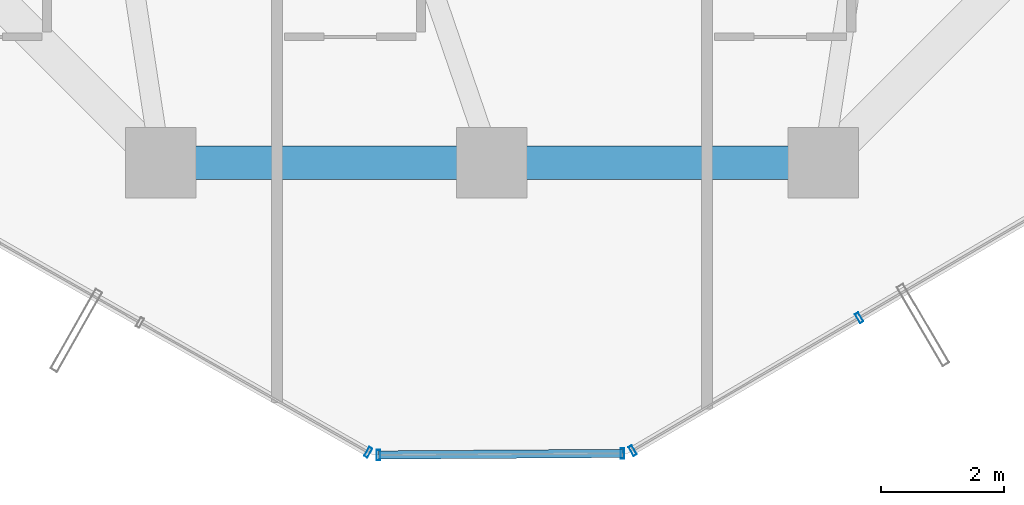
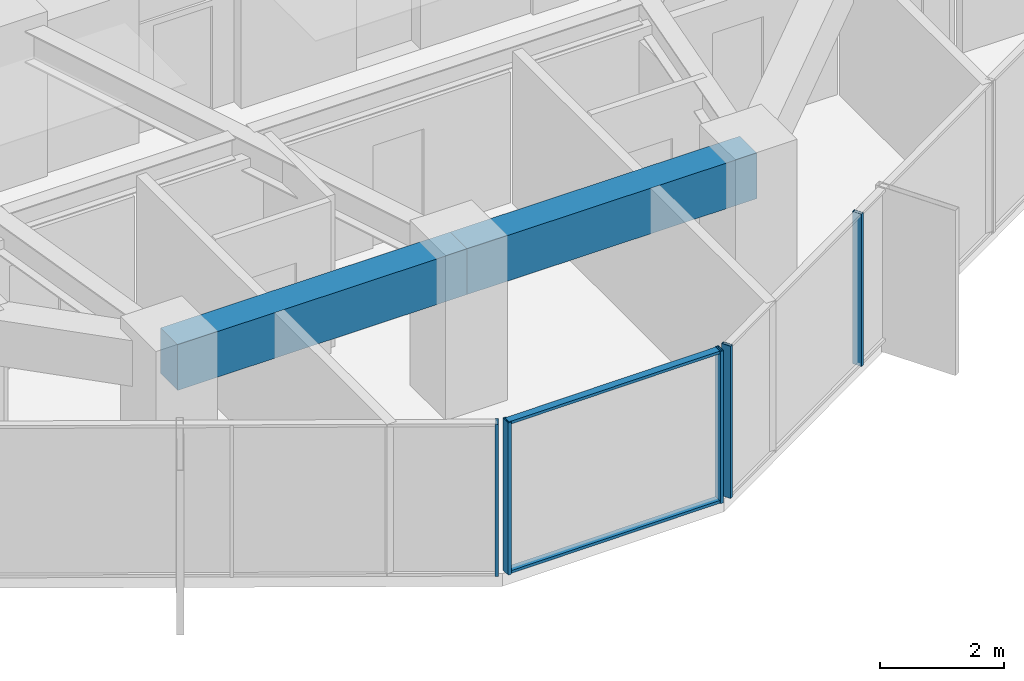
# One storey, part 6 of 30: 7 members, 2 beams, 3 elements without a shape of their own.
"""IFC4 building model written with IfcOpenShell, lengths in metres."""

from ifc_helpers import new_model, si_unit, direction, frame, origin, origin_2d, place, context, subcontext, project, spatial, rectangle, hollow_rectangle, extrude, source, transform, mapped, material, layer, layer_set, material_profile, profile_set, type_object, element, aggregate, save


model = new_model("IFC4")

# Units and contexts
model_context = context("Model", 3, precision=1e-05, world=origin(), true_north=direction((0.0, 1.0)))
body_context = subcontext(model_context, "Body", "Model", "MODEL_VIEW")
ifc_project = project(units=[si_unit("LENGTHUNIT", "METRE"), si_unit("AREAUNIT", "SQUARE_METRE"), si_unit("VOLUMEUNIT", "CUBIC_METRE"), si_unit("PLANEANGLEUNIT", "RADIAN"), si_unit("MASSUNIT", "GRAM", prefix="KILO")], contexts=[model_context])

# Site, building, storey
site_placement = place(None, origin())
site = spatial("IfcSite", under=ifc_project, at=site_placement, CompositionType="ELEMENT")
building_placement = place(site_placement, origin())
building = spatial("IfcBuilding", under=site, at=building_placement, Name="Veraguas Prism Commons", CompositionType="ELEMENT")
storey_placement = place(building_placement, frame((0.0, 0.0, 129.5)))
storey = spatial("IfcBuildingStorey", under=building, at=storey_placement, Name="L36", CompositionType="ELEMENT", Elevation=129.5)

# Beams
ifc_material_1 = material(Name="Concrete C50/60", Category="concrete")
ifc_material_profile_1 = material_profile(ifc_material_1, rectangle(XDim=0.550048828125, YDim=0.89990234375, at=origin_2d()), Name="RC550X900")
ifc_profile_set_1 = profile_set([ifc_material_profile_1], Name="Concrete C50/60")
beam_type = type_object("IfcBeamType", Name="Perimeter Spandrel Lower RC 550x900", PredefinedType="SPANDREL", material=ifc_profile_set_1)
for number, where, z_axis, x_axis, name in (
    (1, (18.60009765625, 7.800048828125, 2.550048828125), (1.0, 0.0, 0.0), (0.0, 1.0, 0.0), "Perimeter Spandrel Beam L36-SP10"),
    (2, (24.0, 7.800048828125, 2.550048828125), (1.0, 0.0, 0.0), (0.0, 1.0, 0.0), "Perimeter Spandrel Beam L36-SP11"),
):
    element("IfcBeam", number, at=place(storey_placement, frame(where, z_axis=z_axis, x_axis=x_axis)), inside=storey, type_object=beam_type, Name=name, PredefinedType="SPANDREL", context=body_context, shape_type="SweptSolid", body=[
        extrude(rectangle(XDim=0.550048828125, YDim=0.89990234375, at=origin_2d()), origin(), (0.0, 0.0, 1.0), 5.39990234375),
    ])

# Curtain wall, member
ifc_material_2 = material(Name="Anodised aluminium EN AW-6063 T6", Category="aluminium")
ifc_layer = layer(ifc_material_2, 0.169921875, Name="Unitised Flush Curtain Wall Zone 2", Category="aluminium")
ifc_layer_set = layer_set([ifc_layer], Name="Anodised aluminium EN AW-6063 T6")
curtain_wall_type = type_object("IfcCurtainWallType", Name="Unitised Flush Curtain Wall Zone 2", PredefinedType="NOTDEFINED", material=ifc_layer_set)
curtain_wall_1_placement = place(storey_placement, origin())
curtain_wall_1 = element("IfcCurtainWall", 3, at=curtain_wall_1_placement, inside=storey, type_object=curtain_wall_type, Name="Tower Facade Curtain Wall L36-F4", PredefinedType="NOTDEFINED")
ifc_material_profile_2 = material_profile(ifc_material_2, hollow_rectangle(XDim=0.06005859375, YDim=0.169921875, WallThickness=0.00390625, at=origin_2d()), Name="AL60X170X4")
ifc_profile_set_2 = profile_set([ifc_material_profile_2], Name="Anodised aluminium EN AW-6063 T6")
member_type_1 = type_object("IfcMemberType", Name="Curtain Wall Mullion Lower AL 60x170x4", PredefinedType="MULLION", material=ifc_profile_set_2)
shared_shape_1 = source(origin(), body_context, "Body", "SweptSolid", [
    extrude(hollow_rectangle(XDim=0.06005859375, YDim=0.169921875, WallThickness=0.00390625, at=origin_2d()), origin(), (0.0, 0.0, 1.0), 3.0),
])
member_1_placement = place(storey_placement, frame((21.984130859375, 3.080078125, 0.0), z_axis=(0.0, 0.0, 1.0), x_axis=(0.869323320918, -0.494243830218, 0.0)))
member_1 = element("IfcMember", 4, at=member_1_placement, type_object=member_type_1, Name="CW-Z2 Mullion 5", PredefinedType="MULLION", context=body_context, shape_type="MappedRepresentation", body=[
    mapped(shared_shape_1, transform((0.0, 0.0, 0.0), scale=1.0)),
])
aggregate(curtain_wall_1, [member_1])

# Curtain wall, members
curtain_wall_2_placement = place(storey_placement, origin())
curtain_wall_2 = element("IfcCurtainWall", 5, at=curtain_wall_2_placement, inside=storey, type_object=curtain_wall_type, Name="Tower Facade Curtain Wall L36-F5", PredefinedType="NOTDEFINED")
member_2_placement = place(storey_placement, frame((26.293212890625, 3.108642578125, 0.0), z_axis=(0.0, 0.0, 1.0), x_axis=(0.86268584238, 0.505740187604, 0.0)))
member_2 = element("IfcMember", 6, at=member_2_placement, type_object=member_type_1, Name="CW-Z2 Mullion 1", PredefinedType="MULLION", context=body_context, shape_type="MappedRepresentation", body=[
    mapped(shared_shape_1, transform((0.0, 0.0, 0.0), scale=1.0)),
])
member_3_placement = place(storey_placement, frame((29.984130859375, 5.2724609375, 0.0), z_axis=(0.0, 0.0, 1.0), x_axis=(0.86268584238, 0.505740187604, 0.0)))
member_3 = element("IfcMember", 7, at=member_3_placement, type_object=member_type_1, Name="CW-Z2 Mullion 2", PredefinedType="MULLION", context=body_context, shape_type="MappedRepresentation", body=[
    mapped(shared_shape_1, transform((0.0, 0.0, 0.0), scale=1.0)),
])
aggregate(curtain_wall_2, [member_2, member_3])

curtain_wall_3_placement = place(storey_placement, origin())
curtain_wall_3 = element("IfcCurtainWall", 8, at=curtain_wall_3_placement, inside=storey, type_object=curtain_wall_type, Name="Chamfer Curtain Wall L36-C5", PredefinedType="NOTDEFINED")
member_4_placement = place(storey_placement, frame((22.15234375, 3.0361328125, 0.0), z_axis=(0.0, 0.0, 1.0), x_axis=(0.999978087656, 0.006619985499, 0.0)))
member_4 = element("IfcMember", 9, at=member_4_placement, type_object=member_type_1, Name="CW-Z2 Mullion 1", PredefinedType="MULLION", context=body_context, shape_type="MappedRepresentation", body=[
    mapped(shared_shape_1, transform((0.0, 0.0, 0.0), scale=1.0)),
])
member_5_placement = place(storey_placement, frame((26.12548828125, 3.0625, 0.0), z_axis=(0.0, 0.0, 1.0), x_axis=(0.999978087656, 0.006619985499, 0.0)))
member_5 = element("IfcMember", 10, at=member_5_placement, type_object=member_type_1, Name="CW-Z2 Mullion 2", PredefinedType="MULLION", context=body_context, shape_type="MappedRepresentation", body=[
    mapped(shared_shape_1, transform((0.0, 0.0, 0.0), scale=1.0)),
])
ifc_material_profile_3 = material_profile(ifc_material_2, hollow_rectangle(XDim=0.054931640625, YDim=0.135009765625, WallThickness=0.0029296875, at=origin_2d()), Name="AL55X135X3")
ifc_profile_set_3 = profile_set([ifc_material_profile_3], Name="Anodised aluminium EN AW-6063 T6")
member_type_2 = type_object("IfcMemberType", Name="Curtain Wall Transom Standard AL 55x135x3", PredefinedType="USERDEFINED", material=ifc_profile_set_3)
shared_shape_2 = source(origin(), body_context, "Body", "SweptSolid", [
    extrude(hollow_rectangle(XDim=0.054931640625, YDim=0.135009765625, WallThickness=0.0029296875, at=origin_2d()), origin(), (0.0, 0.0, 1.0), 3.97314453125),
])
member_6_placement = place(storey_placement, frame((22.15234375, 3.0361328125, 0.027587890625), z_axis=(0.99997798014, 0.006636206333, 0.0), x_axis=(0.0, 0.0, 1.0)))
member_6 = element("IfcMember", 11, at=member_6_placement, type_object=member_type_2, Name="CW-Z2 Transom 1", ObjectType="TRANSOM", PredefinedType="USERDEFINED", context=body_context, shape_type="MappedRepresentation", body=[
    mapped(shared_shape_2, transform((0.0, 0.0, 0.0), scale=1.0)),
])
member_7_placement = place(storey_placement, frame((22.15234375, 3.0361328125, 2.972412109375), z_axis=(0.99997798014, 0.006636206333, 0.0), x_axis=(0.0, 0.0, 1.0)))
member_7 = element("IfcMember", 12, at=member_7_placement, type_object=member_type_2, Name="CW-Z2 Transom 2", ObjectType="TRANSOM", PredefinedType="USERDEFINED", context=body_context, shape_type="MappedRepresentation", body=[
    mapped(shared_shape_2, transform((0.0, 0.0, 0.0), scale=1.0)),
])
aggregate(curtain_wall_3, [member_4, member_5, member_6, member_7])

save(model, "model.ifc")
